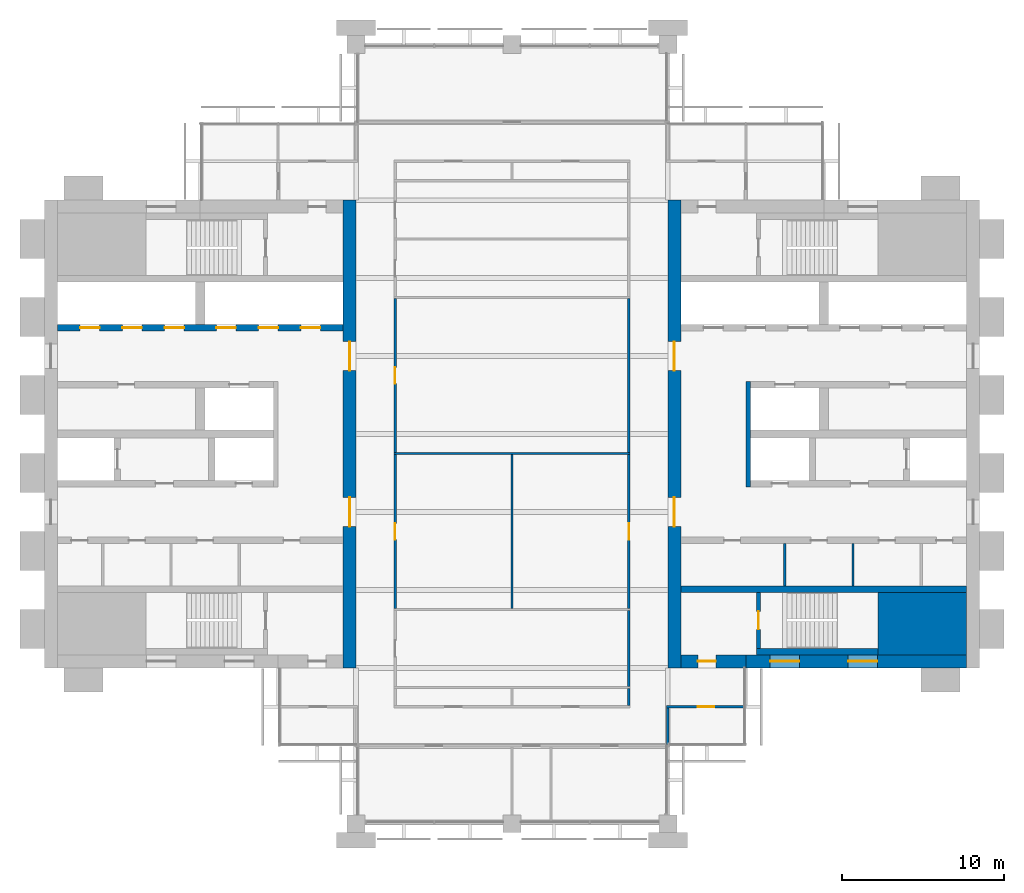
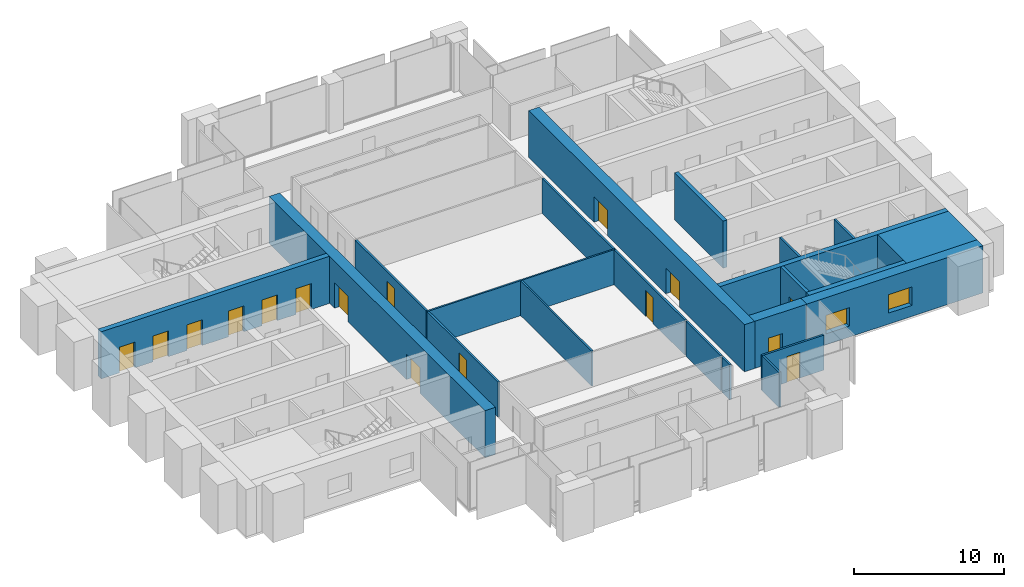
# One storey, part 9 of 13: 22 walls, 16 doors, 2 windows, 18 openings.
"""IFC4 building model written with IfcOpenShell, lengths in metres."""

from ifc_helpers import new_model, si_unit, direction, frame, frame_2d, origin, place, context, subcontext, project, spatial, rectangle, extrude, material, layer, layer_set, type_object, element, fill, save


model = new_model("IFC4")

# Units and contexts
model_context = context("Model", 3, precision=1e-05, world=origin(), true_north=direction((0.0, 1.0)))
body_context = subcontext(model_context, "Body", "Model", "MODEL_VIEW")
ifc_project = project(units=[si_unit("LENGTHUNIT", "METRE"), si_unit("AREAUNIT", "SQUARE_METRE"), si_unit("VOLUMEUNIT", "CUBIC_METRE"), si_unit("PLANEANGLEUNIT", "RADIAN"), si_unit("MASSUNIT", "GRAM", prefix="KILO")], contexts=[model_context])

# Site, building, storey
site_placement = place(None, origin())
site = spatial("IfcSite", under=ifc_project, at=site_placement, CompositionType="ELEMENT")
building_placement = place(site_placement, origin())
building = spatial("IfcBuilding", under=site, at=building_placement, Name="Baori Bourse Tower", CompositionType="ELEMENT")
storey_placement = place(building_placement, frame((0.0, 0.0, 241.199951171875)))
storey = spatial("IfcBuildingStorey", under=building, at=storey_placement, Name="L53", CompositionType="ELEMENT", Elevation=241.199951171875)

# Walls
ifc_material_1 = material(Name="Concrete f'c 50 MPa", Category="concrete")
wall_type_1 = type_object("IfcWallType", Name="Core corner block f'c 50", PredefinedType="SHEAR", material=ifc_material_1)
wall_1_placement = place(storey_placement, frame((51.35009765625, 12.324951171875, 0.0), z_axis=(0.0, 0.0, 1.0), x_axis=(1.0, 0.0, 0.0)))
element("IfcWall", 1, at=wall_1_placement, inside=storey, type_object=wall_type_1, Name="Core wall E05", PredefinedType="SHEAR", context=body_context, shape_type="SweptSolid", body=[
    extrude(rectangle(XDim=5.449951171875, YDim=3.85009765625, at=frame_2d((2.72509765625, 0.0))), origin(), (0.0, 0.0, 1.0), 3.840087890625),
])
ifc_material_2 = material(Name="Blockwork partition", Category="masonry")
ifc_layer_1 = layer(ifc_material_2, 0.14990234375)
ifc_layer_set_1 = layer_set([ifc_layer_1], Name="Core partition 150")
wall_type_2 = type_object("IfcWallType", Name="Core partition 150", PredefinedType="PARTITIONING", material=ifc_layer_set_1)
for number, where, z_axis, x_axis, name in (
    (2, (49.800048828125, 14.64990234375, 0.0), (0.0, 0.0, 1.0), (0.0, 1.0, 0.0), "Partition wall E10"),
    (3, (45.60009765625, 14.64990234375, 0.0), (0.0, 0.0, 1.0), (0.0, 1.0, 0.0), "Partition wall E11"),
):
    element("IfcWall", number, at=place(storey_placement, frame(where, z_axis=z_axis, x_axis=x_axis)), inside=storey, type_object=wall_type_2, Name=name, PredefinedType="PARTITIONING", context=body_context, shape_type="SweptSolid", body=[
        extrude(rectangle(XDim=2.60009765625, YDim=0.14990234375, at=frame_2d((1.300048828125, 0.0))), origin(), (0.0, 0.0, 1.0), 3.840087890625),
    ])

# Wall, openings, doors
ifc_material_3 = material(Name="Concrete f'c 50 MPa", Category="concrete")
ifc_layer_2 = layer(ifc_material_3, 0.800048828125)
ifc_layer_set_2 = layer_set([ifc_layer_2], Name="Core wall 800 f'c 50")
wall_type_3 = type_object("IfcWallType", Name="Core wall 800 f'c 50", PredefinedType="SHEAR", material=ifc_layer_set_2)
wall_2_placement = place(storey_placement, frame((18.800048828125, 38.39990234375, 0.0), z_axis=(0.0, 0.0, 1.0), x_axis=(0.0, -1.0, 0.0)))
wall_2 = element("IfcWall", 4, at=wall_2_placement, inside=storey, type_object=wall_type_3, Name="Core wall W04", PredefinedType="SHEAR", context=body_context, shape_type="SweptSolid", body=[
    extrude(rectangle(XDim=28.7998046875, YDim=0.800048828125, at=frame_2d((14.39990234375, 0.0))), origin(), (0.0, 0.0, 1.0), 3.840087890625),
])
opening_1_placement = place(wall_2_placement, frame((18.300048828125, 0.0, 0.0)))
opening_1 = element("IfcOpeningElement", 5, at=opening_1_placement, cuts=wall_2, Name="Opening L53-D107", PredefinedType="OPENING", context=body_context, shape_type="SweptSolid", body=[
    extrude(rectangle(XDim=1.800048828125, YDim=2.10009765625, at=frame_2d((0.89990234375, 1.050048828125))), frame((0.0, 0.409912109375, 0.0), z_axis=(0.0, -1.0, 0.0), x_axis=(1.0, 0.0, 0.0)), (0.0, 0.0, 1.0), 0.820068359375),
])
opening_2_placement = place(wall_2_placement, frame((8.699951171875, 0.0, 0.0)))
opening_2 = element("IfcOpeningElement", 6, at=opening_2_placement, cuts=wall_2, Name="Opening L53-D108", PredefinedType="OPENING", context=body_context, shape_type="SweptSolid", body=[
    extrude(rectangle(XDim=1.800048828125, YDim=2.10009765625, at=frame_2d((0.89990234375, 1.050048828125))), frame((0.0, 0.409912109375, 0.0), z_axis=(0.0, -1.0, 0.0), x_axis=(1.0, 0.0, 0.0)), (0.0, 0.0, 1.0), 0.820068359375),
])
ifc_material_4 = material(Name="Painted steel door", Category="steel")
door_type_1 = type_object("IfcDoorType", Name="Core lobby door 1800", OperationType="DOUBLE_DOOR_SINGLE_SWING", PredefinedType="DOOR", material=ifc_material_4)
door_1_placement = place(opening_1_placement, origin())
door_1 = element("IfcDoor", 7, at=door_1_placement, inside=storey, type_object=door_type_1, Name="Lobby door W L53", OperationType="DOUBLE_DOOR_SINGLE_SWING", OverallHeight=2.10009765625, OverallWidth=1.800048828125, PredefinedType="DOOR", context=body_context, shape_type="SweptSolid", body=[
    extrude(rectangle(XDim=1.800048828125, YDim=2.10009765625, at=frame_2d((0.89990234375, 1.050048828125))), frame((0.0, 0.02490234375, 0.0), z_axis=(0.0, -1.0, 0.0), x_axis=(1.0, 0.0, 0.0)), (0.0, 0.0, 1.0), 0.050048828125),
])
fill(opening_1, door_1)
door_2_placement = place(opening_2_placement, origin())
door_2 = element("IfcDoor", 8, at=door_2_placement, inside=storey, type_object=door_type_1, Name="Lobby door W L53", OperationType="DOUBLE_DOOR_SINGLE_SWING", OverallHeight=2.10009765625, OverallWidth=1.800048828125, PredefinedType="DOOR", context=body_context, shape_type="SweptSolid", body=[
    extrude(rectangle(XDim=1.800048828125, YDim=2.10009765625, at=frame_2d((0.89990234375, 1.050048828125))), frame((0.0, 0.02490234375, 0.0), z_axis=(0.0, -1.0, 0.0), x_axis=(1.0, 0.0, 0.0)), (0.0, 0.0, 1.0), 0.050048828125),
])
fill(opening_2, door_2)

# Wall, openings, windows
wall_3_placement = place(storey_placement, frame((56.800048828125, 10.0, 0.0), z_axis=(0.0, 0.0, 1.0), x_axis=(-1.0, 0.0, 0.0)))
wall_3 = element("IfcWall", 9, at=wall_3_placement, inside=storey, type_object=wall_type_3, Name="Core wall E02", PredefinedType="SHEAR", context=body_context, shape_type="SweptSolid", body=[
    extrude(rectangle(XDim=13.60009765625, YDim=0.800048828125, at=frame_2d((6.800048828125, 0.0))), origin(), (0.0, 0.0, 1.0), 3.840087890625),
])
opening_3_placement = place(wall_3_placement, frame((5.5, 0.0, 0.89990234375)))
opening_3 = element("IfcOpeningElement", 10, at=opening_3_placement, cuts=wall_3, Name="Opening L53-KW203", PredefinedType="OPENING", context=body_context, shape_type="SweptSolid", body=[
    extrude(rectangle(XDim=1.800048828125, YDim=1.5, at=frame_2d((0.89990234375, 0.75))), frame((0.0, 0.409912109375, 0.0), z_axis=(0.0, -1.0, 0.0), x_axis=(1.0, 0.0, 0.0)), (0.0, 0.0, 1.0), 0.820068359375),
])
opening_4_placement = place(wall_3_placement, frame((10.300048828125, 0.0, 0.89990234375)))
opening_4 = element("IfcOpeningElement", 11, at=opening_4_placement, cuts=wall_3, Name="Opening L53-KW204", PredefinedType="OPENING", context=body_context, shape_type="SweptSolid", body=[
    extrude(rectangle(XDim=1.800048828125, YDim=1.5, at=frame_2d((0.89990234375, 0.75))), frame((0.0, 0.409912109375, 0.0), z_axis=(0.0, -1.0, 0.0), x_axis=(1.0, 0.0, 0.0)), (0.0, 0.0, 1.0), 0.820068359375),
])
ifc_material_5 = material(Name="Pale anodised aluminium", Category="aluminium")
window_type = type_object("IfcWindowType", Name="Stair window 1800 x 1500", PartitioningType="SINGLE_PANEL", PredefinedType="WINDOW", material=ifc_material_5)
window_1_placement = place(opening_3_placement, origin())
window_1 = element("IfcWindow", 12, at=window_1_placement, inside=storey, type_object=window_type, Name="Stair window E L53 3", OverallHeight=1.5, OverallWidth=1.800048828125, PartitioningType="SINGLE_PANEL", PredefinedType="WINDOW", context=body_context, shape_type="SweptSolid", body=[
    extrude(rectangle(XDim=1.800048828125, YDim=1.5, at=frame_2d((0.89990234375, 0.75))), frame((0.0, 0.030029296875, 0.0), z_axis=(0.0, -1.0, 0.0), x_axis=(1.0, 0.0, 0.0)), (0.0, 0.0, 1.0), 0.06005859375),
])
fill(opening_3, window_1)
window_2_placement = place(opening_4_placement, origin())
window_2 = element("IfcWindow", 13, at=window_2_placement, inside=storey, type_object=window_type, Name="Stair window E L53 4", OverallHeight=1.5, OverallWidth=1.800048828125, PartitioningType="SINGLE_PANEL", PredefinedType="WINDOW", context=body_context, shape_type="SweptSolid", body=[
    extrude(rectangle(XDim=1.800048828125, YDim=1.5, at=frame_2d((0.89990234375, 0.75))), frame((0.0, 0.030029296875, 0.0), z_axis=(0.0, -1.0, 0.0), x_axis=(1.0, 0.0, 0.0)), (0.0, 0.0, 1.0), 0.06005859375),
])
fill(opening_4, window_2)

# Wall, opening, door
wall_4_placement = place(storey_placement, frame((43.199951171875, 10.0, 0.0), z_axis=(0.0, 0.0, 1.0), x_axis=(-1.0, 0.0, 0.0)))
wall_4 = element("IfcWall", 14, at=wall_4_placement, inside=storey, type_object=wall_type_3, Name="Core wall E03", PredefinedType="SHEAR", context=body_context, shape_type="SweptSolid", body=[
    extrude(rectangle(XDim=4.0, YDim=0.800048828125, at=frame_2d((2.0, 0.0))), origin(), (0.0, 0.0, 1.0), 3.840087890625),
])
opening_5_placement = place(wall_4_placement, frame((1.85009765625, 0.0, 0.0)))
opening_5 = element("IfcOpeningElement", 15, at=opening_5_placement, cuts=wall_4, Name="Opening L53-D202", PredefinedType="OPENING", context=body_context, shape_type="SweptSolid", body=[
    extrude(rectangle(XDim=1.10009765625, YDim=2.10009765625, at=frame_2d((0.550048828125, 1.050048828125))), frame((0.0, 0.409912109375, 0.0), z_axis=(0.0, -1.0, 0.0), x_axis=(1.0, 0.0, 0.0)), (0.0, 0.0, 1.0), 0.820068359375),
])
ifc_material_6 = material(Name="Painted steel door", Category="steel")
door_type_2 = type_object("IfcDoorType", Name="Stair door 1100", OperationType="SINGLE_SWING_LEFT", PredefinedType="DOOR", material=ifc_material_6)
door_3_placement = place(opening_5_placement, origin())
door_3 = element("IfcDoor", 16, at=door_3_placement, inside=storey, type_object=door_type_2, Name="Stair vestibule door A E L53", OperationType="SINGLE_SWING_LEFT", OverallHeight=2.10009765625, OverallWidth=1.10009765625, PredefinedType="DOOR", context=body_context, shape_type="SweptSolid", body=[
    extrude(rectangle(XDim=1.10009765625, YDim=2.10009765625, at=frame_2d((0.550048828125, 1.050048828125))), frame((0.0, 0.02490234375, 0.0), z_axis=(0.0, -1.0, 0.0), x_axis=(1.0, 0.0, 0.0)), (0.0, 0.0, 1.0), 0.050048828125),
])
fill(opening_5, door_3)

# Wall, openings, doors
wall_5_placement = place(storey_placement, frame((38.800048828125, 9.60009765625, 0.0), z_axis=(0.0, 0.0, 1.0), x_axis=(0.0, 1.0, 0.0)))
wall_5 = element("IfcWall", 17, at=wall_5_placement, inside=storey, type_object=wall_type_3, Name="Core wall E04", PredefinedType="SHEAR", context=body_context, shape_type="SweptSolid", body=[
    extrude(rectangle(XDim=28.7998046875, YDim=0.800048828125, at=frame_2d((14.39990234375, 0.0))), origin(), (0.0, 0.0, 1.0), 3.840087890625),
])
opening_6_placement = place(wall_5_placement, frame((8.699951171875, 0.0, 0.0)))
opening_6 = element("IfcOpeningElement", 18, at=opening_6_placement, cuts=wall_5, Name="Opening L53-D207", PredefinedType="OPENING", context=body_context, shape_type="SweptSolid", body=[
    extrude(rectangle(XDim=1.800048828125, YDim=2.10009765625, at=frame_2d((0.89990234375, 1.050048828125))), frame((0.0, 0.409912109375, 0.0), z_axis=(0.0, -1.0, 0.0), x_axis=(1.0, 0.0, 0.0)), (0.0, 0.0, 1.0), 0.820068359375),
])
opening_7_placement = place(wall_5_placement, frame((18.300048828125, 0.0, 0.0)))
opening_7 = element("IfcOpeningElement", 19, at=opening_7_placement, cuts=wall_5, Name="Opening L53-D208", PredefinedType="OPENING", context=body_context, shape_type="SweptSolid", body=[
    extrude(rectangle(XDim=1.800048828125, YDim=2.10009765625, at=frame_2d((0.89990234375, 1.050048828125))), frame((0.0, 0.409912109375, 0.0), z_axis=(0.0, -1.0, 0.0), x_axis=(1.0, 0.0, 0.0)), (0.0, 0.0, 1.0), 0.820068359375),
])
door_4_placement = place(opening_6_placement, origin())
door_4 = element("IfcDoor", 20, at=door_4_placement, inside=storey, type_object=door_type_1, Name="Lobby door E L53", OperationType="DOUBLE_DOOR_SINGLE_SWING", OverallHeight=2.10009765625, OverallWidth=1.800048828125, PredefinedType="DOOR", context=body_context, shape_type="SweptSolid", body=[
    extrude(rectangle(XDim=1.800048828125, YDim=2.10009765625, at=frame_2d((0.89990234375, 1.050048828125))), frame((0.0, 0.02490234375, 0.0), z_axis=(0.0, -1.0, 0.0), x_axis=(1.0, 0.0, 0.0)), (0.0, 0.0, 1.0), 0.050048828125),
])
fill(opening_6, door_4)
door_5_placement = place(opening_7_placement, origin())
door_5 = element("IfcDoor", 21, at=door_5_placement, inside=storey, type_object=door_type_1, Name="Lobby door E L53", OperationType="DOUBLE_DOOR_SINGLE_SWING", OverallHeight=2.10009765625, OverallWidth=1.800048828125, PredefinedType="DOOR", context=body_context, shape_type="SweptSolid", body=[
    extrude(rectangle(XDim=1.800048828125, YDim=2.10009765625, at=frame_2d((0.89990234375, 1.050048828125))), frame((0.0, 0.02490234375, 0.0), z_axis=(0.0, -1.0, 0.0), x_axis=(1.0, 0.0, 0.0)), (0.0, 0.0, 1.0), 0.050048828125),
])
fill(opening_7, door_5)

# Wall, opening, door
ifc_material_7 = material(Name="Gypsum board partition")
ifc_layer_3 = layer(ifc_material_7, 0.14990234375)
ifc_layer_set_3 = layer_set([ifc_layer_3], Name="Corridor partition 150")
wall_type_4 = type_object("IfcWallType", Name="Corridor partition 150", PredefinedType="PARTITIONING", material=ifc_layer_set_3)
wall_6_placement = place(storey_placement, frame((38.324951171875, 7.199951171875, 0.0), z_axis=(0.0, 0.0, 1.0), x_axis=(1.0, 0.0, 0.0)))
wall_6 = element("IfcWall", 22, at=wall_6_placement, inside=storey, type_object=wall_type_4, Name="Partition", PredefinedType="PARTITIONING", context=body_context, shape_type="SweptSolid", body=[
    extrude(rectangle(XDim=4.775146484375, YDim=0.14990234375, at=frame_2d((2.3876953125, 0.0))), origin(), (0.0, 0.0, 1.0), 2.849365234375),
])
opening_8_placement = place(wall_6_placement, frame((1.925048828125, 0.0, 0.0)))
opening_8 = element("IfcOpeningElement", 23, at=opening_8_placement, cuts=wall_6, Name="Opening L53-D07", PredefinedType="OPENING", context=body_context, shape_type="SweptSolid", body=[
    extrude(rectangle(XDim=1.0, YDim=2.10009765625, at=frame_2d((0.5, 1.050048828125))), frame((0.0, 0.0849609375, 0.0), z_axis=(0.0, -1.0, 0.0), x_axis=(1.0, 0.0, 0.0)), (0.0, 0.0, 1.0), 0.169921875),
])
ifc_material_8 = material(Name="Timber door leaf", Category="wood")
door_type_3 = type_object("IfcDoorType", Name="Door 1000 x 2100", OperationType="SINGLE_SWING_LEFT", PredefinedType="DOOR", material=ifc_material_8)
door_6_placement = place(opening_8_placement, origin())
door_6 = element("IfcDoor", 24, at=door_6_placement, inside=storey, type_object=door_type_3, Name="Door", OperationType="SINGLE_SWING_RIGHT", OverallHeight=2.10009765625, OverallWidth=1.0, PredefinedType="DOOR", context=body_context, shape_type="SweptSolid", body=[
    extrude(rectangle(XDim=1.0, YDim=2.10009765625, at=frame_2d((0.5, 1.050048828125))), frame((0.0, 0.02490234375, 0.0), z_axis=(0.0, -1.0, 0.0), x_axis=(1.0, 0.0, 0.0)), (0.0, 0.0, 1.0), 0.050048828125),
])
fill(opening_8, door_6)

wall_7_placement = place(storey_placement, frame((21.60009765625, 13.262451171875, 0.0), z_axis=(0.0, 0.0, 1.0), x_axis=(0.0, 1.0, 0.0)))
wall_7 = element("IfcWall", 25, at=wall_7_placement, inside=storey, type_object=wall_type_4, Name="Partition", PredefinedType="PARTITIONING", context=body_context, shape_type="SweptSolid", body=[
    extrude(rectangle(XDim=9.47509765625, YDim=0.14990234375, at=frame_2d((4.737548828125, 0.0))), origin(), (0.0, 0.0, 1.0), 2.849365234375),
])
opening_9_placement = place(wall_7_placement, frame((4.237548828125, 0.0, 0.0)))
opening_9 = element("IfcOpeningElement", 26, at=opening_9_placement, cuts=wall_7, Name="Opening L53-D15", PredefinedType="OPENING", context=body_context, shape_type="SweptSolid", body=[
    extrude(rectangle(XDim=1.0, YDim=2.10009765625, at=frame_2d((0.5, 1.050048828125))), frame((0.0, 0.0849609375, 0.0), z_axis=(0.0, -1.0, 0.0), x_axis=(1.0, 0.0, 0.0)), (0.0, 0.0, 1.0), 0.169921875),
])
door_7_placement = place(opening_9_placement, origin())
door_7 = element("IfcDoor", 27, at=door_7_placement, inside=storey, type_object=door_type_3, Name="Door", OperationType="SINGLE_SWING_LEFT", OverallHeight=2.10009765625, OverallWidth=1.0, PredefinedType="DOOR", context=body_context, shape_type="SweptSolid", body=[
    extrude(rectangle(XDim=1.0, YDim=2.10009765625, at=frame_2d((0.5, 1.050048828125))), frame((0.0, 0.02490234375, 0.0), z_axis=(0.0, -1.0, 0.0), x_axis=(1.0, 0.0, 0.0)), (0.0, 0.0, 1.0), 0.050048828125),
])
fill(opening_9, door_7)

wall_8_placement = place(storey_placement, frame((21.60009765625, 22.862548828125, 0.0), z_axis=(0.0, 0.0, 1.0), x_axis=(0.0, 1.0, 0.0)))
wall_8 = element("IfcWall", 28, at=wall_8_placement, inside=storey, type_object=wall_type_4, Name="Partition", PredefinedType="PARTITIONING", context=body_context, shape_type="SweptSolid", body=[
    extrude(rectangle(XDim=9.474853515625, YDim=0.14990234375, at=frame_2d((4.7373046875, 0.0))), origin(), (0.0, 0.0, 1.0), 2.849365234375),
])
opening_10_placement = place(wall_8_placement, frame((4.237548828125, 0.0, 0.0)))
opening_10 = element("IfcOpeningElement", 29, at=opening_10_placement, cuts=wall_8, Name="Opening L53-D16", PredefinedType="OPENING", context=body_context, shape_type="SweptSolid", body=[
    extrude(rectangle(XDim=1.0, YDim=2.10009765625, at=frame_2d((0.5, 1.050048828125))), frame((0.0, 0.0849609375, 0.0), z_axis=(0.0, -1.0, 0.0), x_axis=(1.0, 0.0, 0.0)), (0.0, 0.0, 1.0), 0.169921875),
])
door_8_placement = place(opening_10_placement, origin())
door_8 = element("IfcDoor", 30, at=door_8_placement, inside=storey, type_object=door_type_3, Name="Door", OperationType="SINGLE_SWING_RIGHT", OverallHeight=2.10009765625, OverallWidth=1.0, PredefinedType="DOOR", context=body_context, shape_type="SweptSolid", body=[
    extrude(rectangle(XDim=1.0, YDim=2.10009765625, at=frame_2d((0.5, 1.050048828125))), frame((0.0, 0.02490234375, 0.0), z_axis=(0.0, -1.0, 0.0), x_axis=(1.0, 0.0, 0.0)), (0.0, 0.0, 1.0), 0.050048828125),
])
fill(opening_10, door_8)

# Walls
wall_9_placement = place(storey_placement, frame((36.0, 7.27490234375, 0.0), z_axis=(0.0, 0.0, 1.0), x_axis=(0.0, 1.0, 0.0)))
element("IfcWall", 31, at=wall_9_placement, inside=storey, type_object=wall_type_4, Name="Partition", PredefinedType="PARTITIONING", context=body_context, shape_type="SweptSolid", body=[
    extrude(rectangle(XDim=1.0625, YDim=0.14990234375, at=frame_2d((0.53125, 0.0))), origin(), (0.0, 0.0, 1.0), 2.849365234375),
])
wall_10_placement = place(storey_placement, frame((36.0, 8.46240234375, 0.0), z_axis=(0.0, 0.0, 1.0), x_axis=(0.0, 1.0, 0.0)))
element("IfcWall", 32, at=wall_10_placement, inside=storey, type_object=wall_type_4, Name="Partition", PredefinedType="PARTITIONING", context=body_context, shape_type="SweptSolid", body=[
    extrude(rectangle(XDim=4.675048828125, YDim=0.14990234375, at=frame_2d((2.33740234375, 0.0))), origin(), (0.0, 0.0, 1.0), 2.849365234375),
])

# Wall, opening, door
wall_11_placement = place(storey_placement, frame((36.0, 13.262451171875, 0.0), z_axis=(0.0, 0.0, 1.0), x_axis=(0.0, 1.0, 0.0)))
wall_11 = element("IfcWall", 33, at=wall_11_placement, inside=storey, type_object=wall_type_4, Name="Partition", PredefinedType="PARTITIONING", context=body_context, shape_type="SweptSolid", body=[
    extrude(rectangle(XDim=9.47509765625, YDim=0.14990234375, at=frame_2d((4.737548828125, 0.0))), origin(), (0.0, 0.0, 1.0), 2.849365234375),
])
opening_11_placement = place(wall_11_placement, frame((4.237548828125, 0.0, 0.0)))
opening_11 = element("IfcOpeningElement", 34, at=opening_11_placement, cuts=wall_11, Name="Opening L53-D19", PredefinedType="OPENING", context=body_context, shape_type="SweptSolid", body=[
    extrude(rectangle(XDim=1.0, YDim=2.10009765625, at=frame_2d((0.5, 1.050048828125))), frame((0.0, 0.0849609375, 0.0), z_axis=(0.0, -1.0, 0.0), x_axis=(1.0, 0.0, 0.0)), (0.0, 0.0, 1.0), 0.169921875),
])
door_9_placement = place(opening_11_placement, origin())
door_9 = element("IfcDoor", 35, at=door_9_placement, inside=storey, type_object=door_type_3, Name="Door", OperationType="SINGLE_SWING_RIGHT", OverallHeight=2.10009765625, OverallWidth=1.0, PredefinedType="DOOR", context=body_context, shape_type="SweptSolid", body=[
    extrude(rectangle(XDim=1.0, YDim=2.10009765625, at=frame_2d((0.5, 1.050048828125))), frame((0.0, 0.02490234375, 0.0), z_axis=(0.0, -1.0, 0.0), x_axis=(1.0, 0.0, 0.0)), (0.0, 0.0, 1.0), 0.050048828125),
])
fill(opening_11, door_9)

# Walls
wall_12_placement = place(storey_placement, frame((36.0, 22.862548828125, 0.0), z_axis=(0.0, 0.0, 1.0), x_axis=(0.0, 1.0, 0.0)))
element("IfcWall", 36, at=wall_12_placement, inside=storey, type_object=wall_type_4, Name="Partition", PredefinedType="PARTITIONING", context=body_context, shape_type="SweptSolid", body=[
    extrude(rectangle(XDim=9.474853515625, YDim=0.14990234375, at=frame_2d((4.7373046875, 0.0))), origin(), (0.0, 0.0, 1.0), 2.849365234375),
])
wall_13_placement = place(storey_placement, frame((38.39990234375, 4.875, 0.0), z_axis=(0.0, 0.0, 1.0), x_axis=(0.0, 1.0, 0.0)))
element("IfcWall", 37, at=wall_13_placement, inside=storey, type_object=wall_type_4, Name="Partition", PredefinedType="PARTITIONING", context=body_context, shape_type="SweptSolid", body=[
    extrude(rectangle(XDim=2.25, YDim=0.14990234375, at=frame_2d((1.125, 0.0))), origin(), (0.0, 0.0, 1.0), 2.849365234375),
])
ifc_material_9 = material(Name="Gypsum board partition")
ifc_layer_4 = layer(ifc_material_9, 0.125)
ifc_layer_set_4 = layer_set([ifc_layer_4], Name="Partition 125")
wall_type_5 = type_object("IfcWallType", Name="Partition 125", PredefinedType="PARTITIONING", material=ifc_layer_set_4)
wall_14_placement = place(storey_placement, frame((21.52490234375, 22.800048828125, 0.0), z_axis=(0.0, 0.0, 1.0), x_axis=(1.0, 0.0, 0.0)))
element("IfcWall", 38, at=wall_14_placement, inside=storey, type_object=wall_type_5, Name="Partition", PredefinedType="PARTITIONING", context=body_context, shape_type="SweptSolid", body=[
    extrude(rectangle(XDim=14.550048828125, YDim=0.125, at=frame_2d((7.27490234375, 0.0))), origin(), (0.0, 0.0, 1.0), 2.849365234375),
])
wall_15_placement = place(storey_placement, frame((28.800048828125, 13.262451171875, 0.0), z_axis=(0.0, 0.0, 1.0), x_axis=(0.0, 1.0, 0.0)))
element("IfcWall", 39, at=wall_15_placement, inside=storey, type_object=wall_type_5, Name="Partition", PredefinedType="PARTITIONING", context=body_context, shape_type="SweptSolid", body=[
    extrude(rectangle(XDim=9.47509765625, YDim=0.125, at=frame_2d((4.737548828125, 0.0))), origin(), (0.0, 0.0, 1.0), 2.849365234375),
])

# Wall, opening, door
ifc_material_10 = material(Name="Concrete f'c 50 MPa", Category="concrete")
ifc_layer_5 = layer(ifc_material_10, 0.25)
ifc_layer_set_5 = layer_set([ifc_layer_5], Name="Shaft wall 250 f'c 50")
wall_type_6 = type_object("IfcWallType", Name="Shaft wall 250 f'c 50", PredefinedType="SHEAR", material=ifc_layer_set_5)
wall_16_placement = place(storey_placement, frame((43.97509765625, 10.800048828125, 0.0), z_axis=(0.0, 0.0, 1.0), x_axis=(0.0, 1.0, 0.0)))
wall_16 = element("IfcWall", 40, at=wall_16_placement, inside=storey, type_object=wall_type_6, Name="Core wall E07", PredefinedType="SHEAR", context=body_context, shape_type="SweptSolid", body=[
    extrude(rectangle(XDim=3.449951171875, YDim=0.25, at=frame_2d((1.72509765625, 0.0))), origin(), (0.0, 0.0, 1.0), 3.840087890625),
])
opening_12_placement = place(wall_16_placement, frame((1.175048828125, 0.0, 0.0)))
opening_12 = element("IfcOpeningElement", 41, at=opening_12_placement, cuts=wall_16, Name="Opening L53-D201", PredefinedType="OPENING", context=body_context, shape_type="SweptSolid", body=[
    extrude(rectangle(XDim=1.10009765625, YDim=2.10009765625, at=frame_2d((0.550048828125, 1.050048828125))), frame((0.0, 0.135009765625, 0.0), z_axis=(0.0, -1.0, 0.0), x_axis=(1.0, 0.0, 0.0)), (0.0, 0.0, 1.0), 0.27001953125),
])
door_10_placement = place(opening_12_placement, origin())
door_10 = element("IfcDoor", 42, at=door_10_placement, inside=storey, type_object=door_type_2, Name="Stair door A E L53", OperationType="SINGLE_SWING_LEFT", OverallHeight=2.10009765625, OverallWidth=1.10009765625, PredefinedType="DOOR", context=body_context, shape_type="SweptSolid", body=[
    extrude(rectangle(XDim=1.10009765625, YDim=2.10009765625, at=frame_2d((0.550048828125, 1.050048828125))), frame((0.0, 0.02490234375, 0.0), z_axis=(0.0, -1.0, 0.0), x_axis=(1.0, 0.0, 0.0)), (0.0, 0.0, 1.0), 0.050048828125),
])
fill(opening_12, door_10)

# Wall
ifc_material_11 = material(Name="Concrete f'c 50 MPa", Category="concrete")
ifc_layer_6 = layer(ifc_material_11, 0.300048828125)
ifc_layer_set_6 = layer_set([ifc_layer_6], Name="Shaft wall 300 f'c 50")
wall_type_7 = type_object("IfcWallType", Name="Shaft wall 300 f'c 50", PredefinedType="SHEAR", material=ifc_layer_set_6)
wall_17_placement = place(storey_placement, frame((43.35009765625, 20.75, 0.0), z_axis=(0.0, 0.0, 1.0), x_axis=(0.0, 1.0, 0.0)))
element("IfcWall", 43, at=wall_17_placement, inside=storey, type_object=wall_type_7, Name="Core wall E14", PredefinedType="SHEAR", context=body_context, shape_type="SweptSolid", body=[
    extrude(rectangle(XDim=6.5, YDim=0.300048828125, at=frame_2d((3.25, 0.0))), origin(), (0.0, 0.0, 1.0), 3.840087890625),
])

# Wall, openings, doors
ifc_material_12 = material(Name="Concrete f'c 50 MPa", Category="concrete")
ifc_layer_7 = layer(ifc_material_12, 0.39990234375)
ifc_layer_set_7 = layer_set([ifc_layer_7], Name="Shaft wall 400 f'c 50")
wall_type_8 = type_object("IfcWallType", Name="Shaft wall 400 f'c 50", PredefinedType="SHEAR", material=ifc_layer_set_7)
wall_18_placement = place(storey_placement, frame((0.800048828125, 30.550048828125, 0.0), z_axis=(0.0, 0.0, 1.0), x_axis=(1.0, 0.0, 0.0)))
wall_18 = element("IfcWall", 44, at=wall_18_placement, inside=storey, type_object=wall_type_8, Name="Core wall W20", PredefinedType="SHEAR", context=body_context, shape_type="SweptSolid", body=[
    extrude(rectangle(XDim=17.599853515625, YDim=0.39990234375, at=frame_2d((8.7998046875, 0.0))), origin(), (0.0, 0.0, 1.0), 3.840087890625),
])
opening_13_placement = place(wall_18_placement, frame((1.39990234375, 0.0, 0.0)))
opening_13 = element("IfcOpeningElement", 45, at=opening_13_placement, cuts=wall_18, Name="Opening L53-D114", PredefinedType="OPENING", context=body_context, shape_type="SweptSolid", body=[
    extrude(rectangle(XDim=1.199951171875, YDim=2.10009765625, at=frame_2d((0.60009765625, 1.050048828125))), frame((0.0, 0.2099609375, 0.0), z_axis=(0.0, -1.0, 0.0), x_axis=(1.0, 0.0, 0.0)), (0.0, 0.0, 1.0), 0.419921875),
])
opening_14_placement = place(wall_18_placement, frame((4.0, 0.0, 0.0)))
opening_14 = element("IfcOpeningElement", 46, at=opening_14_placement, cuts=wall_18, Name="Opening L53-D115", PredefinedType="OPENING", context=body_context, shape_type="SweptSolid", body=[
    extrude(rectangle(XDim=1.199951171875, YDim=2.10009765625, at=frame_2d((0.60009765625, 1.050048828125))), frame((0.0, 0.2099609375, 0.0), z_axis=(0.0, -1.0, 0.0), x_axis=(1.0, 0.0, 0.0)), (0.0, 0.0, 1.0), 0.419921875),
])
opening_15_placement = place(wall_18_placement, frame((6.60009765625, 0.0, 0.0)))
opening_15 = element("IfcOpeningElement", 47, at=opening_15_placement, cuts=wall_18, Name="Opening L53-D116", PredefinedType="OPENING", context=body_context, shape_type="SweptSolid", body=[
    extrude(rectangle(XDim=1.199951171875, YDim=2.10009765625, at=frame_2d((0.60009765625, 1.050048828125))), frame((0.0, 0.2099609375, 0.0), z_axis=(0.0, -1.0, 0.0), x_axis=(1.0, 0.0, 0.0)), (0.0, 0.0, 1.0), 0.419921875),
])
opening_16_placement = place(wall_18_placement, frame((9.800048828125, 0.0, 0.0)))
opening_16 = element("IfcOpeningElement", 48, at=opening_16_placement, cuts=wall_18, Name="Opening L53-D117", PredefinedType="OPENING", context=body_context, shape_type="SweptSolid", body=[
    extrude(rectangle(XDim=1.199951171875, YDim=2.10009765625, at=frame_2d((0.60009765625, 1.050048828125))), frame((0.0, 0.2099609375, 0.0), z_axis=(0.0, -1.0, 0.0), x_axis=(1.0, 0.0, 0.0)), (0.0, 0.0, 1.0), 0.419921875),
])
opening_17_placement = place(wall_18_placement, frame((12.39990234375, 0.0, 0.0)))
opening_17 = element("IfcOpeningElement", 49, at=opening_17_placement, cuts=wall_18, Name="Opening L53-D118", PredefinedType="OPENING", context=body_context, shape_type="SweptSolid", body=[
    extrude(rectangle(XDim=1.199951171875, YDim=2.10009765625, at=frame_2d((0.60009765625, 1.050048828125))), frame((0.0, 0.2099609375, 0.0), z_axis=(0.0, -1.0, 0.0), x_axis=(1.0, 0.0, 0.0)), (0.0, 0.0, 1.0), 0.419921875),
])
opening_18_placement = place(wall_18_placement, frame((15.0, 0.0, 0.0)))
opening_18 = element("IfcOpeningElement", 50, at=opening_18_placement, cuts=wall_18, Name="Opening L53-D119", PredefinedType="OPENING", context=body_context, shape_type="SweptSolid", body=[
    extrude(rectangle(XDim=1.199951171875, YDim=2.10009765625, at=frame_2d((0.60009765625, 1.050048828125))), frame((0.0, 0.2099609375, 0.0), z_axis=(0.0, -1.0, 0.0), x_axis=(1.0, 0.0, 0.0)), (0.0, 0.0, 1.0), 0.419921875),
])
ifc_material_13 = material(Name="Stainless steel door", Category="steel")
door_type_4 = type_object("IfcDoorType", Name="Lift landing door", OperationType="DOUBLE_DOOR_SLIDING", PredefinedType="DOOR", material=ifc_material_13)
door_11_placement = place(opening_13_placement, origin())
door_11 = element("IfcDoor", 51, at=door_11_placement, inside=storey, type_object=door_type_4, Name="Lift landing door HR1 W L53", OperationType="DOUBLE_DOOR_SLIDING", OverallHeight=2.10009765625, OverallWidth=1.199951171875, PredefinedType="DOOR", context=body_context, shape_type="SweptSolid", body=[
    extrude(rectangle(XDim=1.199951171875, YDim=2.10009765625, at=frame_2d((0.60009765625, 1.050048828125))), frame((0.0, 0.02490234375, 0.0), z_axis=(0.0, -1.0, 0.0), x_axis=(1.0, 0.0, 0.0)), (0.0, 0.0, 1.0), 0.050048828125),
])
fill(opening_13, door_11)
door_12_placement = place(opening_14_placement, origin())
door_12 = element("IfcDoor", 52, at=door_12_placement, inside=storey, type_object=door_type_4, Name="Lift landing door HR2 W L53", OperationType="DOUBLE_DOOR_SLIDING", OverallHeight=2.10009765625, OverallWidth=1.199951171875, PredefinedType="DOOR", context=body_context, shape_type="SweptSolid", body=[
    extrude(rectangle(XDim=1.199951171875, YDim=2.10009765625, at=frame_2d((0.60009765625, 1.050048828125))), frame((0.0, 0.02490234375, 0.0), z_axis=(0.0, -1.0, 0.0), x_axis=(1.0, 0.0, 0.0)), (0.0, 0.0, 1.0), 0.050048828125),
])
fill(opening_14, door_12)
door_13_placement = place(opening_15_placement, origin())
door_13 = element("IfcDoor", 53, at=door_13_placement, inside=storey, type_object=door_type_4, Name="Lift landing door HR3 W L53", OperationType="DOUBLE_DOOR_SLIDING", OverallHeight=2.10009765625, OverallWidth=1.199951171875, PredefinedType="DOOR", context=body_context, shape_type="SweptSolid", body=[
    extrude(rectangle(XDim=1.199951171875, YDim=2.10009765625, at=frame_2d((0.60009765625, 1.050048828125))), frame((0.0, 0.02490234375, 0.0), z_axis=(0.0, -1.0, 0.0), x_axis=(1.0, 0.0, 0.0)), (0.0, 0.0, 1.0), 0.050048828125),
])
fill(opening_15, door_13)
door_14_placement = place(opening_16_placement, origin())
door_14 = element("IfcDoor", 54, at=door_14_placement, inside=storey, type_object=door_type_4, Name="Lift landing door HR4 W L53", OperationType="DOUBLE_DOOR_SLIDING", OverallHeight=2.10009765625, OverallWidth=1.199951171875, PredefinedType="DOOR", context=body_context, shape_type="SweptSolid", body=[
    extrude(rectangle(XDim=1.199951171875, YDim=2.10009765625, at=frame_2d((0.60009765625, 1.050048828125))), frame((0.0, 0.02490234375, 0.0), z_axis=(0.0, -1.0, 0.0), x_axis=(1.0, 0.0, 0.0)), (0.0, 0.0, 1.0), 0.050048828125),
])
fill(opening_16, door_14)
door_15_placement = place(opening_17_placement, origin())
door_15 = element("IfcDoor", 55, at=door_15_placement, inside=storey, type_object=door_type_4, Name="Lift landing door HR5 W L53", OperationType="DOUBLE_DOOR_SLIDING", OverallHeight=2.10009765625, OverallWidth=1.199951171875, PredefinedType="DOOR", context=body_context, shape_type="SweptSolid", body=[
    extrude(rectangle(XDim=1.199951171875, YDim=2.10009765625, at=frame_2d((0.60009765625, 1.050048828125))), frame((0.0, 0.02490234375, 0.0), z_axis=(0.0, -1.0, 0.0), x_axis=(1.0, 0.0, 0.0)), (0.0, 0.0, 1.0), 0.050048828125),
])
fill(opening_17, door_15)
door_16_placement = place(opening_18_placement, origin())
door_16 = element("IfcDoor", 56, at=door_16_placement, inside=storey, type_object=door_type_4, Name="Lift landing door HR6 W L53", OperationType="DOUBLE_DOOR_SLIDING", OverallHeight=2.10009765625, OverallWidth=1.199951171875, PredefinedType="DOOR", context=body_context, shape_type="SweptSolid", body=[
    extrude(rectangle(XDim=1.199951171875, YDim=2.10009765625, at=frame_2d((0.60009765625, 1.050048828125))), frame((0.0, 0.02490234375, 0.0), z_axis=(0.0, -1.0, 0.0), x_axis=(1.0, 0.0, 0.0)), (0.0, 0.0, 1.0), 0.050048828125),
])
fill(opening_18, door_16)

# Walls
wall_19_placement = place(storey_placement, frame((43.85009765625, 10.60009765625, 0.0), z_axis=(0.0, 0.0, 1.0), x_axis=(1.0, 0.0, 0.0)))
element("IfcWall", 57, at=wall_19_placement, inside=storey, type_object=wall_type_8, Name="Core wall E06", PredefinedType="SHEAR", context=body_context, shape_type="SweptSolid", body=[
    extrude(rectangle(XDim=7.5, YDim=0.39990234375, at=frame_2d((3.75, 0.0))), origin(), (0.0, 0.0, 1.0), 3.840087890625),
])
wall_20_placement = place(storey_placement, frame((39.199951171875, 14.449951171875, 0.0), z_axis=(0.0, 0.0, 1.0), x_axis=(1.0, 0.0, 0.0)))
element("IfcWall", 58, at=wall_20_placement, inside=storey, type_object=wall_type_8, Name="Core wall E08", PredefinedType="SHEAR", context=body_context, shape_type="SweptSolid", body=[
    extrude(rectangle(XDim=17.60009765625, YDim=0.39990234375, at=frame_2d((8.800048828125, 0.0))), origin(), (0.0, 0.0, 1.0), 3.840087890625),
])

save(model, "model.ifc")
